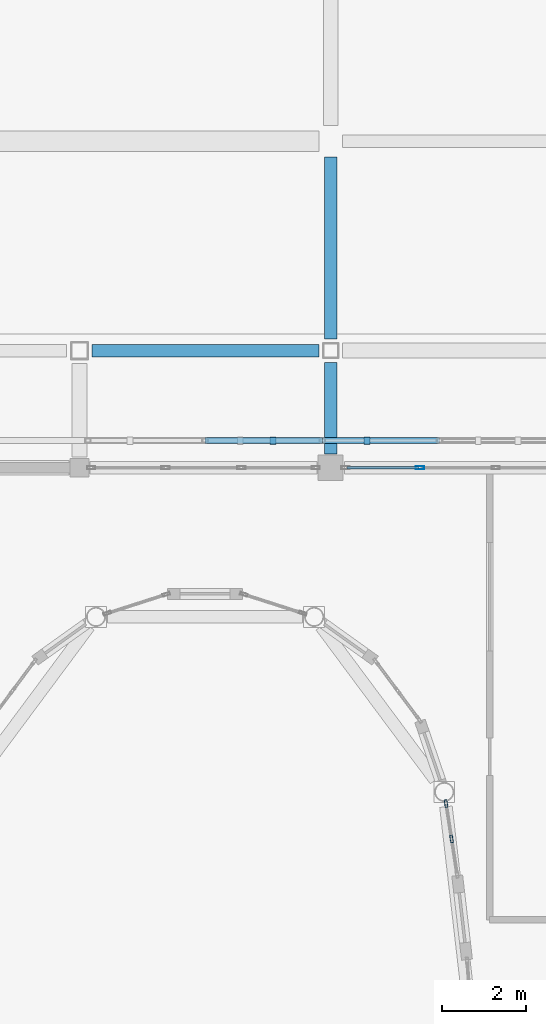
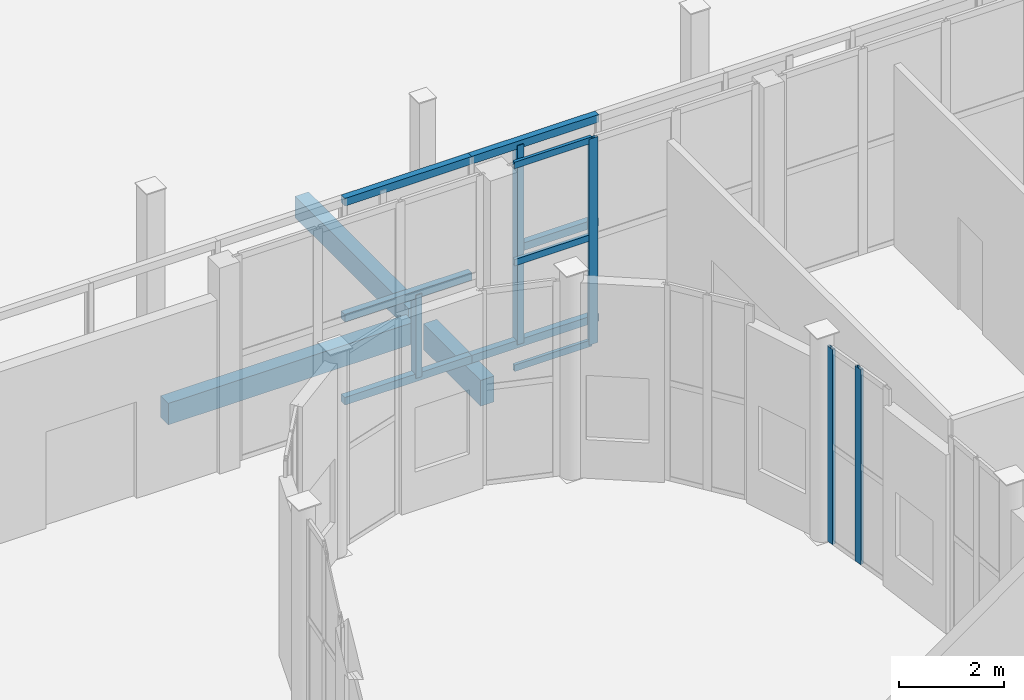
# One storey, part 46 of 91: 14 members, 3 beams, 2 elements without a shape of their own.
"""IFC4 building model written with IfcOpenShell, lengths in metres."""

from ifc_helpers import new_model, si_unit, direction, frame, origin, origin_2d, place, context, subcontext, project, spatial, rectangle, hollow_rectangle, extrude, material, layer, layer_set, material_profile, profile_set, type_object, element, aggregate, save


model = new_model("IFC4")

# Units and contexts
model_context = context("Model", 3, precision=1e-05, world=origin(), true_north=direction((0.0, 1.0)))
body_context = subcontext(model_context, "Body", "Model", "MODEL_VIEW")
ifc_project = project(units=[si_unit("LENGTHUNIT", "METRE"), si_unit("AREAUNIT", "SQUARE_METRE"), si_unit("VOLUMEUNIT", "CUBIC_METRE"), si_unit("PLANEANGLEUNIT", "RADIAN"), si_unit("MASSUNIT", "GRAM", prefix="KILO")], contexts=[model_context])

# Site, building, storey
site_placement = place(None, origin())
site = spatial("IfcSite", under=ifc_project, at=site_placement, CompositionType="ELEMENT")
building_placement = place(site_placement, origin())
building = spatial("IfcBuilding", under=site, at=building_placement, Name="Vinh Khe Railworks Police Headquarters", CompositionType="ELEMENT")
storey_placement = place(building_placement, origin())
storey = spatial("IfcBuildingStorey", under=building, at=storey_placement, Name="L00", CompositionType="ELEMENT", Elevation=0.0)

# Members
ifc_material_1 = material(Name="Salvaged ironwood timber", Category="wood")
ifc_material_profile_1 = material_profile(ifc_material_1, rectangle(XDim=0.139892578125, YDim=0.179931640625, at=origin_2d()), Name="TIMBER 140x180")
ifc_profile_set_1 = profile_set([ifc_material_profile_1], Name="Salvaged ironwood timber")
member_type_1 = type_object("IfcMemberType", Name="MEM-QUILT-STILE", PredefinedType="CHORD", material=ifc_profile_set_1)
for number, where, z_axis, x_axis, name in (
    (1, (43.199951171875, 59.449951171875, 4.719970703125), (1.0, 0.0, 0.0), (0.0, 1.0, 0.0), "Salvaged Timber Quilt Transom N-L00-06-TOP"),
    (2, (43.199951171875, 59.449951171875, 0.080078125), (1.0, 0.0, 0.0), (0.0, 1.0, 0.0), "Salvaged Timber Quilt Transom N-L00-06-BOT"),
    (3, (43.199951171875, 59.449951171875, 2.01611328125), (1.0, 0.0, 0.0), (0.0, 1.0, 0.0), "Salvaged Timber Quilt Transom N-L00-06-M1"),
):
    element("IfcMember", number, at=place(storey_placement, frame(where, z_axis=z_axis, x_axis=x_axis)), inside=storey, type_object=member_type_1, Name=name, PredefinedType="CHORD", context=body_context, shape_type="SweptSolid", body=[
        extrude(rectangle(XDim=0.139892578125, YDim=0.179931640625, at=origin_2d()), origin(), (0.0, 0.0, 1.0), 2.800048828125),
    ])
member_1_placement = place(storey_placement, frame((44.823974609375, 59.449951171875, 0.080078125), z_axis=(0.0, 0.0, 1.0), x_axis=(1.0, 0.0, 0.0)))
element("IfcMember", 4, at=member_1_placement, inside=storey, type_object=member_type_1, Name="Salvaged Timber Quilt Stile N-L00-06-V1", PredefinedType="POST", context=body_context, shape_type="SweptSolid", body=[
    extrude(rectangle(XDim=0.139892578125, YDim=0.179931640625, at=origin_2d()), origin(), (0.0, 0.0, 1.0), 1.93603515625),
])
for number, where, z_axis, x_axis, name in (
    (5, (46.0, 59.449951171875, 4.719970703125), (1.0, 0.0, 0.0), (0.0, 1.0, 0.0), "Salvaged Timber Quilt Transom N-L00-07-TOP"),
    (6, (46.0, 59.449951171875, 0.080078125), (1.0, 0.0, 0.0), (0.0, 1.0, 0.0), "Salvaged Timber Quilt Transom N-L00-07-BOT"),
):
    element("IfcMember", number, at=place(storey_placement, frame(where, z_axis=z_axis, x_axis=x_axis)), inside=storey, type_object=member_type_1, Name=name, PredefinedType="CHORD", context=body_context, shape_type="SweptSolid", body=[
        extrude(rectangle(XDim=0.139892578125, YDim=0.179931640625, at=origin_2d()), origin(), (0.0, 0.0, 1.0), 2.800048828125),
    ])
member_2_placement = place(storey_placement, frame((47.06396484375, 59.449951171875, 0.080078125), z_axis=(0.0, 0.0, 1.0), x_axis=(1.0, 0.0, 0.0)))
element("IfcMember", 7, at=member_2_placement, inside=storey, type_object=member_type_1, Name="Salvaged Timber Quilt Stile N-L00-07-V1", PredefinedType="POST", context=body_context, shape_type="SweptSolid", body=[
    extrude(rectangle(XDim=0.139892578125, YDim=0.179931640625, at=origin_2d()), origin(), (0.0, 0.0, 1.0), 4.639892578125),
])
member_3_placement = place(storey_placement, frame((47.06396484375, 59.449951171875, 2.303955078125), z_axis=(1.0, 0.0, 0.0), x_axis=(0.0, 1.0, 0.0)))
element("IfcMember", 8, at=member_3_placement, inside=storey, type_object=member_type_1, Name="Salvaged Timber Quilt Transom N-L00-07-M1", PredefinedType="CHORD", context=body_context, shape_type="SweptSolid", body=[
    extrude(rectangle(XDim=0.139892578125, YDim=0.179931640625, at=origin_2d()), origin(), (0.0, 0.0, 1.0), 1.736083984375),
])

# Curtain wall, members
ifc_material_2 = material(Name="Anodised aluminium and acoustic laminated glass", Category="aluminium")
ifc_layer_1 = layer(ifc_material_2, 0.159912109375)
ifc_layer_set_1 = layer_set([ifc_layer_1], Name="Anodised aluminium and acoustic laminated glass")
curtain_wall_type_1 = type_object("IfcCurtainWallType", Name="CW-DRUM-CHORD", PredefinedType="USERDEFINED", material=ifc_layer_set_1)
curtain_wall_1_placement = place(storey_placement, origin())
curtain_wall_1 = element("IfcCurtainWall", 9, at=curtain_wall_1_placement, inside=storey, type_object=curtain_wall_type_1, Name="Elliptical Command Drum Glazing L00 Chord 9", ObjectType="DRUM FACADE GLAZING", PredefinedType="USERDEFINED")
ifc_material_3 = material(Name="Anodised aluminium 6063-T6", Category="aluminium")
ifc_material_profile_2 = material_profile(ifc_material_3, hollow_rectangle(XDim=0.06494140625, YDim=0.179931640625, WallThickness=0.0048828125, at=origin_2d()), Name="CW-M 65x180x5")
ifc_profile_set_2 = profile_set([ifc_material_profile_2], Name="Anodised aluminium 6063-T6")
member_type_2 = type_object("IfcMemberType", Name="MULL-CWM-02", PredefinedType="MULLION", material=ifc_profile_set_2)
member_4_placement = place(storey_placement, frame((49.08740234375, 49.933837890625, 0.0), z_axis=(0.0, 0.0, 1.0), x_axis=(-0.988149989037, -0.153491365117, 0.0)))
member_4 = element("IfcMember", 10, at=member_4_placement, type_object=member_type_2, Name="CW-02 mullion 2", PredefinedType="MULLION", context=body_context, shape_type="SweptSolid", body=[
    extrude(hollow_rectangle(XDim=0.06494140625, YDim=0.179931640625, WallThickness=0.0048828125, at=origin_2d()), origin(), (0.0, 0.0, 1.0), 4.550048828125),
])
member_5_placement = place(storey_placement, frame((48.956298828125, 50.7783203125, 0.0), z_axis=(0.0, 0.0, 1.0), x_axis=(-0.988149989037, -0.153491365117, 0.0)))
member_5 = element("IfcMember", 11, at=member_5_placement, type_object=member_type_2, Name="CW-02 mullion 3", PredefinedType="MULLION", context=body_context, shape_type="SweptSolid", body=[
    extrude(hollow_rectangle(XDim=0.06494140625, YDim=0.179931640625, WallThickness=0.0048828125, at=origin_2d()), origin(), (0.0, 0.0, 1.0), 4.550048828125),
])
aggregate(curtain_wall_1, [member_4, member_5])

# Curtain wall, member
ifc_material_4 = material(Name="Anodised aluminium and low-iron glass", Category="aluminium")
ifc_layer_2 = layer(ifc_material_4, 0.179931640625)
ifc_layer_set_2 = layer_set([ifc_layer_2], Name="Anodised aluminium and low-iron glass")
curtain_wall_type_2 = type_object("IfcCurtainWallType", Name="CW-CUBE-UNIT", PredefinedType="USERDEFINED", material=ifc_layer_set_2)
curtain_wall_2_placement = place(storey_placement, origin())
curtain_wall_2 = element("IfcCurtainWall", 12, at=curtain_wall_2_placement, inside=storey, type_object=curtain_wall_type_2, Name="Entrance Hall Curtain Wall L00 N-4", ObjectType="UNITISED GLAZING", PredefinedType="USERDEFINED")
ifc_material_profile_3 = material_profile(ifc_material_3, hollow_rectangle(XDim=0.070068359375, YDim=0.199951171875, WallThickness=0.0048828125, at=origin_2d()), Name="CW-M 70x200x5")
ifc_profile_set_3 = profile_set([ifc_material_profile_3], Name="Anodised aluminium 6063-T6")
member_type_3 = type_object("IfcMemberType", Name="MULL-CWM-03", PredefinedType="MULLION", material=ifc_profile_set_3)
member_6_placement = place(storey_placement, frame((48.331787109375, 58.800048828125, 0.0), z_axis=(0.0, 0.0, 1.0), x_axis=(0.0, 1.0, 0.0)))
member_6 = element("IfcMember", 13, at=member_6_placement, type_object=member_type_3, Name="CW-01 mullion 2", PredefinedType="MULLION", context=body_context, shape_type="SweptSolid", body=[
    extrude(hollow_rectangle(XDim=0.070068359375, YDim=0.199951171875, WallThickness=0.0048828125, at=origin_2d()), origin(), (0.0, 0.0, 1.0), 4.800048828125),
])

# Beams
ifc_material_5 = material(Name="Concrete C35/45 (B35)", Category="concrete")
ifc_material_profile_4 = material_profile(ifc_material_5, rectangle(XDim=0.300048828125, YDim=0.5, at=origin_2d()), Name="RC 300x500")
ifc_profile_set_4 = profile_set([ifc_material_profile_4], Name="Concrete C35/45 (B35)")
beam_type_1 = type_object("IfcBeamType", Name="RC Girder RC 300x500", PredefinedType="BEAM", material=ifc_profile_set_4)
beam_1_placement = place(storey_placement, frame((40.5048828125, 61.60009765625, -0.530029296875), z_axis=(1.0, 0.0, 0.0), x_axis=(0.0, 1.0, 0.0)))
element("IfcBeam", 14, at=beam_1_placement, inside=storey, type_object=beam_type_1, Name="Girder BM-L00-EW-RB-10-0087", PredefinedType="BEAM", context=body_context, shape_type="SweptSolid", body=[
    extrude(rectangle(XDim=0.300048828125, YDim=0.5, at=origin_2d()), origin(), (0.0, 0.0, 1.0), 5.4150390625),
])
beam_2_placement = place(storey_placement, frame((46.199951171875, 61.8798828125, -0.530029296875), z_axis=(0.0, 1.0, 0.0), x_axis=(-1.0, 0.0, 0.0)))
element("IfcBeam", 15, at=beam_2_placement, inside=storey, type_object=beam_type_1, Name="Girder BM-L00-NS-RB-10-0303", PredefinedType="BEAM", context=body_context, shape_type="SweptSolid", body=[
    extrude(rectangle(XDim=0.300048828125, YDim=0.5, at=origin_2d()), origin(), (0.0, 0.0, 1.0), 4.340087890625),
])
ifc_material_profile_5 = material_profile(ifc_material_5, rectangle(XDim=0.300048828125, YDim=0.60009765625, at=origin_2d()), Name="RC 300x600")
ifc_profile_set_5 = profile_set([ifc_material_profile_5], Name="Concrete C35/45 (B35)")
beam_type_2 = type_object("IfcBeamType", Name="RC Girder RC 300x600", PredefinedType="BEAM", material=ifc_profile_set_5)
beam_3_placement = place(storey_placement, frame((46.199951171875, 59.1298828125, -0.580078125), z_axis=(0.0, 1.0, 0.0), x_axis=(-1.0, 0.0, 0.0)))
element("IfcBeam", 16, at=beam_3_placement, inside=storey, type_object=beam_type_2, Name="Girder BM-L00-NS-RB-09-0302", PredefinedType="BEAM", context=body_context, shape_type="SweptSolid", body=[
    extrude(rectangle(XDim=0.300048828125, YDim=0.60009765625, at=origin_2d()), origin(), (0.0, 0.0, 1.0), 2.190185546875),
])

# Member
ifc_material_profile_6 = material_profile(ifc_material_3, hollow_rectangle(XDim=0.070068359375, YDim=0.14990234375, WallThickness=0.0048828125, at=origin_2d()), Name="CW-T 70x150x5")
ifc_profile_set_6 = profile_set([ifc_material_profile_6], Name="Anodised aluminium 6063-T6")
member_type_4 = type_object("IfcMemberType", Name="TRAN-CWT-03", PredefinedType="USERDEFINED", material=ifc_profile_set_6)
member_7_placement = place(storey_placement, frame((46.590087890625, 58.800048828125, 0.034912109375), z_axis=(1.0, 0.0, 0.0), x_axis=(0.0, 1.0, 0.0)))
member_7 = element("IfcMember", 17, at=member_7_placement, type_object=member_type_4, Name="CW-01 transom 1.1", ObjectType="TRANSOM", PredefinedType="USERDEFINED", context=body_context, shape_type="SweptSolid", body=[
    extrude(hollow_rectangle(XDim=0.070068359375, YDim=0.14990234375, WallThickness=0.0048828125, at=origin_2d()), origin(), (0.0, 0.0, 1.0), 1.70654296875),
])

member_8_placement = place(storey_placement, frame((46.590087890625, 58.800048828125, 2.49609375), z_axis=(1.0, 0.0, 0.0), x_axis=(0.0, 1.0, 0.0)))
member_8 = element("IfcMember", 18, at=member_8_placement, type_object=member_type_4, Name="CW-01 transom 1.2", ObjectType="TRANSOM", PredefinedType="USERDEFINED", context=body_context, shape_type="SweptSolid", body=[
    extrude(hollow_rectangle(XDim=0.070068359375, YDim=0.14990234375, WallThickness=0.0048828125, at=origin_2d()), origin(), (0.0, 0.0, 1.0), 1.70654296875),
])

member_9_placement = place(storey_placement, frame((46.590087890625, 58.800048828125, 4.764892578125), z_axis=(1.0, 0.0, 0.0), x_axis=(0.0, 1.0, 0.0)))
member_9 = element("IfcMember", 19, at=member_9_placement, type_object=member_type_4, Name="CW-01 transom 1.3", ObjectType="TRANSOM", PredefinedType="USERDEFINED", context=body_context, shape_type="SweptSolid", body=[
    extrude(hollow_rectangle(XDim=0.070068359375, YDim=0.14990234375, WallThickness=0.0048828125, at=origin_2d()), origin(), (0.0, 0.0, 1.0), 1.70654296875),
])

aggregate(curtain_wall_2, [member_6, member_7, member_8, member_9])

save(model, "model.ifc")
